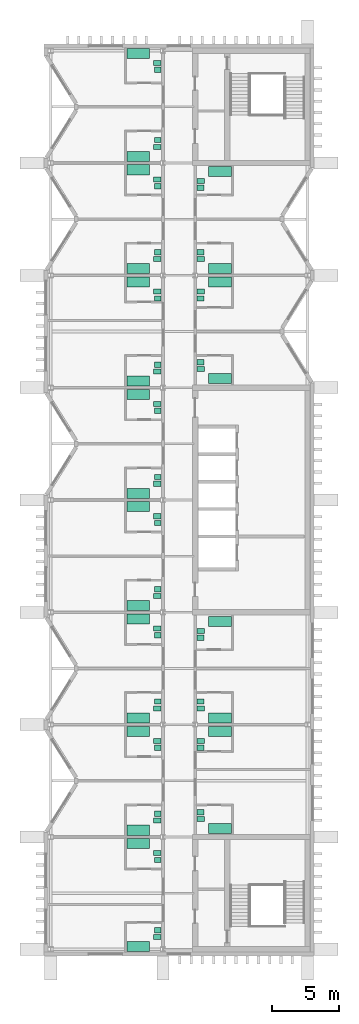
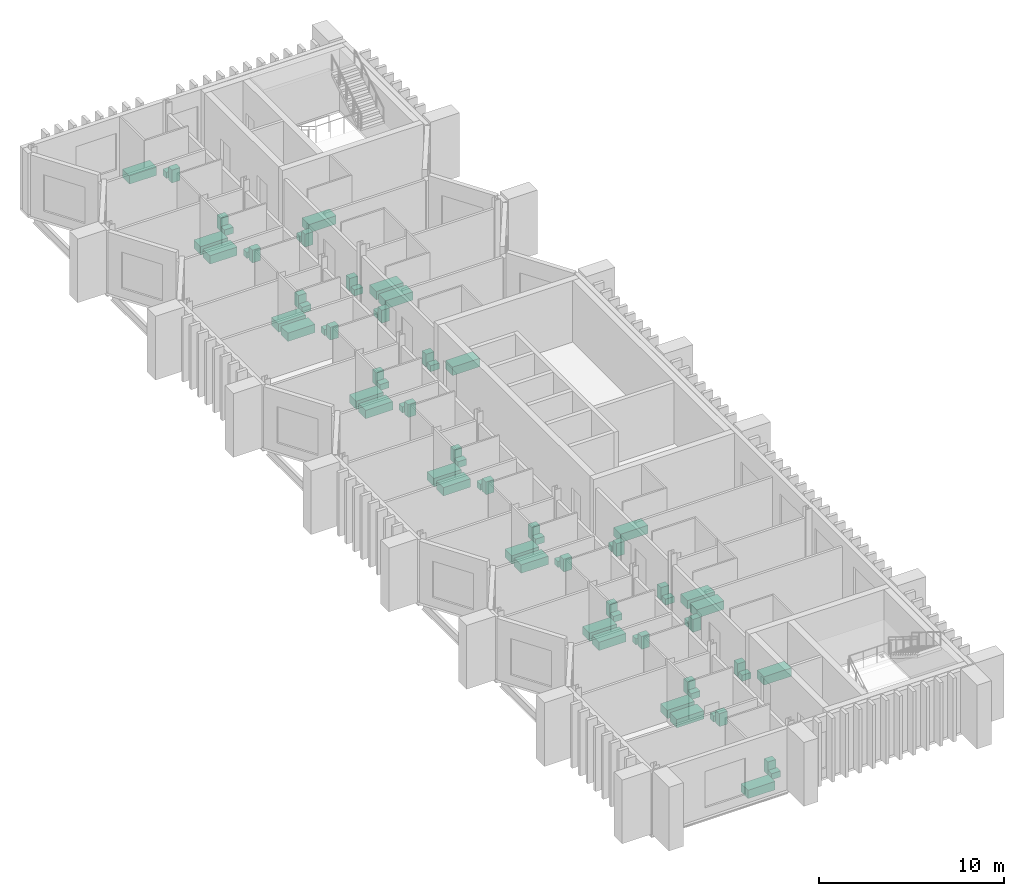
# One storey, part 11 of 11: 72 sanitary terminals.
"""IFC4 building model written with IfcOpenShell, lengths in metres."""

from ifc_helpers import new_model, si_unit, direction, frame, origin, origin_2d, place, context, subcontext, project, spatial, rectangle, extrude, material, type_object, element, save


model = new_model("IFC4")

# Units and contexts
model_context = context("Model", 3, precision=1e-05, world=origin(), true_north=direction((0.0, 1.0)))
body_context = subcontext(model_context, "Body", "Model", "MODEL_VIEW")
ifc_project = project(units=[si_unit("LENGTHUNIT", "METRE"), si_unit("AREAUNIT", "SQUARE_METRE"), si_unit("VOLUMEUNIT", "CUBIC_METRE"), si_unit("PLANEANGLEUNIT", "RADIAN"), si_unit("MASSUNIT", "GRAM", prefix="KILO")], contexts=[model_context])

# Site, building, storey
site_placement = place(None, origin())
site = spatial("IfcSite", under=ifc_project, at=site_placement, CompositionType="ELEMENT")
building_placement = place(site_placement, origin())
building = spatial("IfcBuilding", under=site, at=building_placement, Name="Cresset Court Congress Hotel", CompositionType="ELEMENT")
storey_placement = place(building_placement, frame((0.0, 0.0, 43.800048828125)))
storey = spatial("IfcBuildingStorey", under=building, at=storey_placement, Name="L10", CompositionType="ELEMENT", Elevation=43.800048828125)

# Sanitary terminals
ifc_material_1 = material(Name="Acrylic")
sanitary_terminal_type_1 = type_object("IfcSanitaryTerminalType", Name="Bath 1700x750", PredefinedType="BATH", material=ifc_material_1)
for number, where, z_axis, x_axis, name in (
    (1, (163.75, 0.205078125, 0.0), (0.0, 0.0, 1.0), (1.0, 0.0, 0.0), "Bath 1700x750 1001"),
    (2, (163.75, 7.89990234375, 0.0), (0.0, 0.0, 1.0), (1.0, 0.0, 0.0), "Bath 1700x750 1002"),
    (3, (163.75, 8.89990234375, 0.0), (0.0, 0.0, 1.0), (1.0, 0.0, 0.0), "Bath 1700x750 1003"),
    (4, (163.75, 16.300048828125, 0.0), (0.0, 0.0, 1.0), (1.0, 0.0, 0.0), "Bath 1700x750 1004"),
    (5, (163.75, 17.300048828125, 0.0), (0.0, 0.0, 1.0), (1.0, 0.0, 0.0), "Bath 1700x750 1005"),
    (6, (163.75, 24.699951171875, 0.0), (0.0, 0.0, 1.0), (1.0, 0.0, 0.0), "Bath 1700x750 1006"),
    (7, (163.75, 25.699951171875, 0.0), (0.0, 0.0, 1.0), (1.0, 0.0, 0.0), "Bath 1700x750 1007"),
    (8, (163.75, 33.10009765625, 0.0), (0.0, 0.0, 1.0), (1.0, 0.0, 0.0), "Bath 1700x750 1008"),
    (9, (163.75, 34.10009765625, 0.0), (0.0, 0.0, 1.0), (1.0, 0.0, 0.0), "Bath 1700x750 1009"),
    (10, (163.75, 41.5, 0.0), (0.0, 0.0, 1.0), (1.0, 0.0, 0.0), "Bath 1700x750 1010"),
    (11, (163.75, 42.5, 0.0), (0.0, 0.0, 1.0), (1.0, 0.0, 0.0), "Bath 1700x750 1011"),
    (12, (163.75, 49.89990234375, 0.0), (0.0, 0.0, 1.0), (1.0, 0.0, 0.0), "Bath 1700x750 1012"),
    (13, (163.75, 50.89990234375, 0.0), (0.0, 0.0, 1.0), (1.0, 0.0, 0.0), "Bath 1700x750 1013"),
    (14, (163.75, 58.300048828125, 0.0), (0.0, 0.0, 1.0), (1.0, 0.0, 0.0), "Bath 1700x750 1014"),
    (15, (163.75, 59.300048828125, 0.0), (0.0, 0.0, 1.0), (1.0, 0.0, 0.0), "Bath 1700x750 1015"),
    (16, (163.75, 66.9951171875, 0.0), (0.0, 0.0, 1.0), (1.0, 0.0, 0.0), "Bath 1700x750 1016"),
    (17, (169.85009765625, 9.02490234375, 0.0), (0.0, 0.0, 1.0), (1.0, 0.0, 0.0), "Bath 1700x750 1017"),
    (18, (169.85009765625, 16.300048828125, 0.0), (0.0, 0.0, 1.0), (1.0, 0.0, 0.0), "Bath 1700x750 1018"),
    (19, (169.85009765625, 17.300048828125, 0.0), (0.0, 0.0, 1.0), (1.0, 0.0, 0.0), "Bath 1700x750 1019"),
    (20, (169.85009765625, 24.52490234375, 0.0), (0.0, 0.0, 1.0), (1.0, 0.0, 0.0), "Bath 1700x750 1020"),
    (21, (169.85009765625, 42.675048828125, 0.0), (0.0, 0.0, 1.0), (1.0, 0.0, 0.0), "Bath 1700x750 1021"),
    (22, (169.85009765625, 49.89990234375, 0.0), (0.0, 0.0, 1.0), (1.0, 0.0, 0.0), "Bath 1700x750 1022"),
    (23, (169.85009765625, 50.89990234375, 0.0), (0.0, 0.0, 1.0), (1.0, 0.0, 0.0), "Bath 1700x750 1023"),
    (24, (169.85009765625, 58.175048828125, 0.0), (0.0, 0.0, 1.0), (1.0, 0.0, 0.0), "Bath 1700x750 1024"),
):
    element("IfcSanitaryTerminal", number, at=place(storey_placement, frame(where, z_axis=z_axis, x_axis=x_axis)), inside=storey, type_object=sanitary_terminal_type_1, Name=name, PredefinedType="BATH", context=body_context, shape_type="SweptSolid", body=[
        extrude(rectangle(XDim=1.699951171875, YDim=0.75, at=origin_2d()), origin(), (0.0, 0.0, 1.0), 0.550048828125),
    ])
ifc_material_2 = material(Name="Vitreous china")
sanitary_terminal_type_2 = type_object("IfcSanitaryTerminalType", Name="Toilet pan 550x380", PredefinedType="TOILETPAN", material=ifc_material_2)
for number, where, z_axis, x_axis, name in (
    (25, (165.175048828125, 0.919921875, 0.0), (0.0, 0.0, 1.0), (1.0, 0.0, 0.0), "Toilet pan 550x380 1001"),
    (26, (165.175048828125, 7.18505859375, 0.0), (0.0, 0.0, 1.0), (1.0, 0.0, 0.0), "Toilet pan 550x380 1002"),
    (27, (165.175048828125, 9.614990234375, 0.0), (0.0, 0.0, 1.0), (1.0, 0.0, 0.0), "Toilet pan 550x380 1003"),
    (28, (165.175048828125, 15.5849609375, 0.0), (0.0, 0.0, 1.0), (1.0, 0.0, 0.0), "Toilet pan 550x380 1004"),
    (29, (165.175048828125, 18.014892578125, 0.0), (0.0, 0.0, 1.0), (1.0, 0.0, 0.0), "Toilet pan 550x380 1005"),
    (30, (165.175048828125, 23.985107421875, 0.0), (0.0, 0.0, 1.0), (1.0, 0.0, 0.0), "Toilet pan 550x380 1006"),
    (31, (165.175048828125, 26.4150390625, 0.0), (0.0, 0.0, 1.0), (1.0, 0.0, 0.0), "Toilet pan 550x380 1007"),
    (32, (165.175048828125, 32.385009765625, 0.0), (0.0, 0.0, 1.0), (1.0, 0.0, 0.0), "Toilet pan 550x380 1008"),
    (33, (165.175048828125, 34.81494140625, 0.0), (0.0, 0.0, 1.0), (1.0, 0.0, 0.0), "Toilet pan 550x380 1009"),
    (34, (165.175048828125, 40.784912109375, 0.0), (0.0, 0.0, 1.0), (1.0, 0.0, 0.0), "Toilet pan 550x380 1010"),
    (35, (165.175048828125, 43.215087890625, 0.0), (0.0, 0.0, 1.0), (1.0, 0.0, 0.0), "Toilet pan 550x380 1011"),
    (36, (165.175048828125, 49.18505859375, 0.0), (0.0, 0.0, 1.0), (1.0, 0.0, 0.0), "Toilet pan 550x380 1012"),
    (37, (165.175048828125, 51.614990234375, 0.0), (0.0, 0.0, 1.0), (1.0, 0.0, 0.0), "Toilet pan 550x380 1013"),
    (38, (165.175048828125, 57.5849609375, 0.0), (0.0, 0.0, 1.0), (1.0, 0.0, 0.0), "Toilet pan 550x380 1014"),
    (39, (165.175048828125, 60.014892578125, 0.0), (0.0, 0.0, 1.0), (1.0, 0.0, 0.0), "Toilet pan 550x380 1015"),
    (40, (165.175048828125, 66.280029296875, 0.0), (0.0, 0.0, 1.0), (1.0, 0.0, 0.0), "Toilet pan 550x380 1016"),
    (41, (168.425048828125, 9.739990234375, 0.0), (0.0, 0.0, 1.0), (1.0, 0.0, 0.0), "Toilet pan 550x380 1017"),
    (42, (168.425048828125, 15.5849609375, 0.0), (0.0, 0.0, 1.0), (1.0, 0.0, 0.0), "Toilet pan 550x380 1018"),
    (43, (168.425048828125, 18.014892578125, 0.0), (0.0, 0.0, 1.0), (1.0, 0.0, 0.0), "Toilet pan 550x380 1019"),
    (44, (168.425048828125, 23.81005859375, 0.0), (0.0, 0.0, 1.0), (1.0, 0.0, 0.0), "Toilet pan 550x380 1020"),
    (45, (168.425048828125, 43.389892578125, 0.0), (0.0, 0.0, 1.0), (1.0, 0.0, 0.0), "Toilet pan 550x380 1021"),
    (46, (168.425048828125, 49.18505859375, 0.0), (0.0, 0.0, 1.0), (1.0, 0.0, 0.0), "Toilet pan 550x380 1022"),
    (47, (168.425048828125, 51.614990234375, 0.0), (0.0, 0.0, 1.0), (1.0, 0.0, 0.0), "Toilet pan 550x380 1023"),
    (48, (168.425048828125, 57.4599609375, 0.0), (0.0, 0.0, 1.0), (1.0, 0.0, 0.0), "Toilet pan 550x380 1024"),
):
    element("IfcSanitaryTerminal", number, at=place(storey_placement, frame(where, z_axis=z_axis, x_axis=x_axis)), inside=storey, type_object=sanitary_terminal_type_2, Name=name, PredefinedType="TOILETPAN", context=body_context, shape_type="SweptSolid", body=[
        extrude(rectangle(XDim=0.550048828125, YDim=0.3798828125, at=origin_2d()), origin(), (0.0, 0.0, 1.0), 0.39990234375),
    ])
ifc_material_3 = material(Name="Vitreous china")
sanitary_terminal_type_3 = type_object("IfcSanitaryTerminalType", Name="Wash basin 500x400", PredefinedType="WASHHANDBASIN", material=ifc_material_3)
for number, where, z_axis, x_axis, name in (
    (49, (165.199951171875, 1.429931640625, 0.0), (0.0, 0.0, 1.0), (1.0, 0.0, 0.0), "Wash basin 500x400 1001"),
    (50, (165.199951171875, 6.675048828125, 0.0), (0.0, 0.0, 1.0), (1.0, 0.0, 0.0), "Wash basin 500x400 1002"),
    (51, (165.199951171875, 10.125, 0.0), (0.0, 0.0, 1.0), (1.0, 0.0, 0.0), "Wash basin 500x400 1003"),
    (52, (165.199951171875, 15.074951171875, 0.0), (0.0, 0.0, 1.0), (1.0, 0.0, 0.0), "Wash basin 500x400 1004"),
    (53, (165.199951171875, 18.52490234375, 0.0), (0.0, 0.0, 1.0), (1.0, 0.0, 0.0), "Wash basin 500x400 1005"),
    (54, (165.199951171875, 23.47509765625, 0.0), (0.0, 0.0, 1.0), (1.0, 0.0, 0.0), "Wash basin 500x400 1006"),
    (55, (165.199951171875, 26.925048828125, 0.0), (0.0, 0.0, 1.0), (1.0, 0.0, 0.0), "Wash basin 500x400 1007"),
    (56, (165.199951171875, 31.875, 0.0), (0.0, 0.0, 1.0), (1.0, 0.0, 0.0), "Wash basin 500x400 1008"),
    (57, (165.199951171875, 35.324951171875, 0.0), (0.0, 0.0, 1.0), (1.0, 0.0, 0.0), "Wash basin 500x400 1009"),
    (58, (165.199951171875, 40.27490234375, 0.0), (0.0, 0.0, 1.0), (1.0, 0.0, 0.0), "Wash basin 500x400 1010"),
    (59, (165.199951171875, 43.72509765625, 0.0), (0.0, 0.0, 1.0), (1.0, 0.0, 0.0), "Wash basin 500x400 1011"),
    (60, (165.199951171875, 48.675048828125, 0.0), (0.0, 0.0, 1.0), (1.0, 0.0, 0.0), "Wash basin 500x400 1012"),
    (61, (165.199951171875, 52.125, 0.0), (0.0, 0.0, 1.0), (1.0, 0.0, 0.0), "Wash basin 500x400 1013"),
    (62, (165.199951171875, 57.074951171875, 0.0), (0.0, 0.0, 1.0), (1.0, 0.0, 0.0), "Wash basin 500x400 1014"),
    (63, (165.199951171875, 60.52490234375, 0.0), (0.0, 0.0, 1.0), (1.0, 0.0, 0.0), "Wash basin 500x400 1015"),
    (64, (165.199951171875, 65.77001953125, 0.0), (0.0, 0.0, 1.0), (1.0, 0.0, 0.0), "Wash basin 500x400 1016"),
    (65, (168.39990234375, 10.25, 0.0), (0.0, 0.0, 1.0), (1.0, 0.0, 0.0), "Wash basin 500x400 1017"),
    (66, (168.39990234375, 15.074951171875, 0.0), (0.0, 0.0, 1.0), (1.0, 0.0, 0.0), "Wash basin 500x400 1018"),
    (67, (168.39990234375, 18.52490234375, 0.0), (0.0, 0.0, 1.0), (1.0, 0.0, 0.0), "Wash basin 500x400 1019"),
    (68, (168.39990234375, 23.300048828125, 0.0), (0.0, 0.0, 1.0), (1.0, 0.0, 0.0), "Wash basin 500x400 1020"),
    (69, (168.39990234375, 43.89990234375, 0.0), (0.0, 0.0, 1.0), (1.0, 0.0, 0.0), "Wash basin 500x400 1021"),
    (70, (168.39990234375, 48.675048828125, 0.0), (0.0, 0.0, 1.0), (1.0, 0.0, 0.0), "Wash basin 500x400 1022"),
    (71, (168.39990234375, 52.125, 0.0), (0.0, 0.0, 1.0), (1.0, 0.0, 0.0), "Wash basin 500x400 1023"),
    (72, (168.39990234375, 56.949951171875, 0.0), (0.0, 0.0, 1.0), (1.0, 0.0, 0.0), "Wash basin 500x400 1024"),
):
    element("IfcSanitaryTerminal", number, at=place(storey_placement, frame(where, z_axis=z_axis, x_axis=x_axis)), inside=storey, type_object=sanitary_terminal_type_3, Name=name, PredefinedType="WASHHANDBASIN", context=body_context, shape_type="SweptSolid", body=[
        extrude(rectangle(XDim=0.5, YDim=0.39990234375, at=origin_2d()), origin(), (0.0, 0.0, 1.0), 0.85009765625),
    ])

save(model, "model.ifc")
